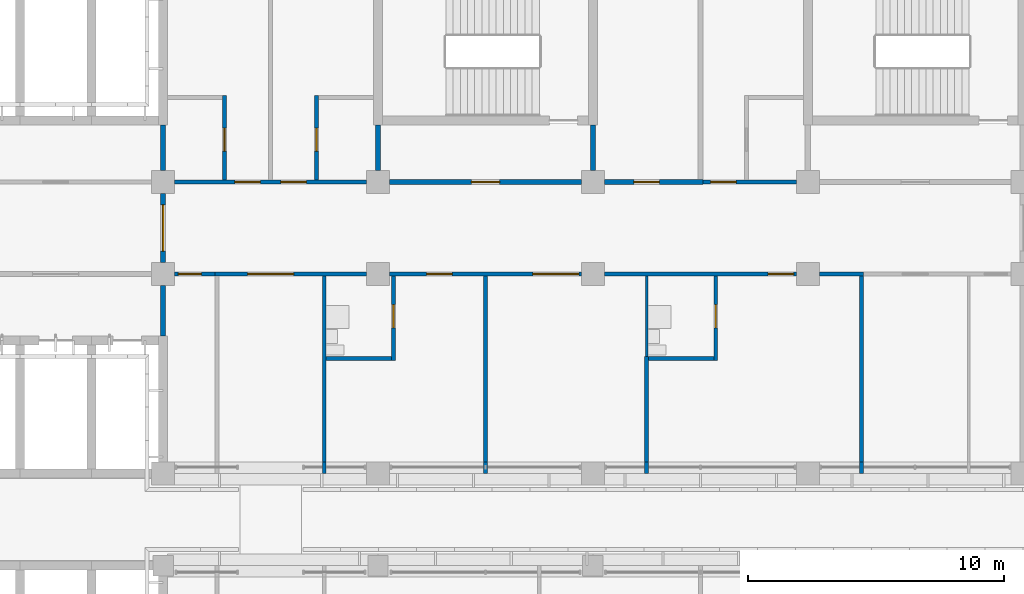
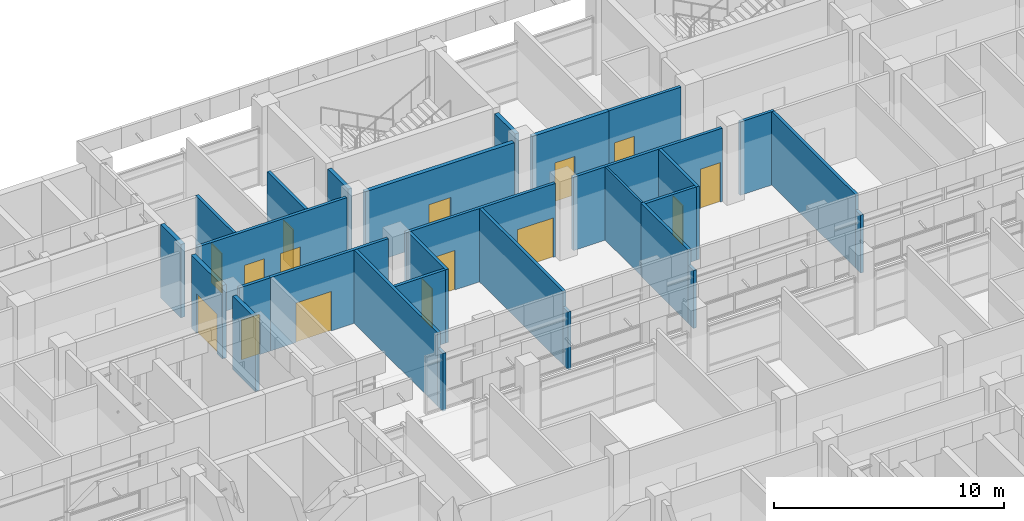
# One storey, part 77 of 137: 29 walls, 15 doors, 15 openings.
"""IFC4 building model written with IfcOpenShell, lengths in metres."""

from ifc_helpers import new_model, si_unit, direction, frame, frame_2d, origin, place, context, subcontext, project, spatial, rectangle, extrude, material, layer, layer_set, type_object, element, fill, save


model = new_model("IFC4")

# Units and contexts
model_context = context("Model", 3, precision=1e-05, world=origin(), true_north=direction((0.0, 1.0)))
body_context = subcontext(model_context, "Body", "Model", "MODEL_VIEW")
ifc_project = project(units=[si_unit("LENGTHUNIT", "METRE"), si_unit("AREAUNIT", "SQUARE_METRE"), si_unit("VOLUMEUNIT", "CUBIC_METRE"), si_unit("PLANEANGLEUNIT", "RADIAN"), si_unit("MASSUNIT", "GRAM", prefix="KILO")], contexts=[model_context])

# Site, building, storey
site_placement = place(None, origin())
site = spatial("IfcSite", under=ifc_project, at=site_placement, CompositionType="ELEMENT")
building_placement = place(site_placement, origin())
building = spatial("IfcBuilding", under=site, at=building_placement, Name="Bougainvillea Quay General Hospital", CompositionType="ELEMENT")
storey_placement = place(building_placement, frame((0.0, 0.0, 16.800048828125)))
storey = spatial("IfcBuildingStorey", under=building, at=storey_placement, Name="L03", CompositionType="ELEMENT", Elevation=16.800048828125)

# Walls
ifc_material_1 = material(Name="Gypsum board partition on steel studs", Category="steel")
ifc_layer_1 = layer(ifc_material_1, 0.10009765625)
ifc_layer_set_1 = layer_set([ifc_layer_1], Name="Gypsum board partition on steel studs")
wall_type_1 = type_object("IfcWallType", Name="Partition 100 Gypsum board partition", PredefinedType="PARTITIONING", material=ifc_layer_set_1)
wall_1_placement = place(storey_placement, frame((94.5, 144.97509765625, 0.0), z_axis=(0.0, 0.0, 1.0), x_axis=(0.0, 1.0, 0.0)))
element("IfcWall", 1, at=wall_1_placement, inside=storey, type_object=wall_type_1, Name="Partition 100 mm", PredefinedType="PARTITIONING", context=body_context, shape_type="SweptSolid", body=[
    extrude(rectangle(XDim=3.14990234375, YDim=0.10009765625, at=frame_2d((1.574951171875, 0.0))), origin(), (0.0, 0.0, 1.0), 3.89990234375),
])
ifc_material_2 = material(Name="Gypsum board partition on steel studs, insulated", Category="steel")
ifc_layer_2 = layer(ifc_material_2, 0.14990234375)
ifc_layer_set_2 = layer_set([ifc_layer_2], Name="Gypsum board partition on steel studs, insulated")
wall_type_2 = type_object("IfcWallType", Name="Partition 150 Gypsum board partition", PredefinedType="PARTITIONING", material=ifc_layer_set_2)
wall_2_placement = place(storey_placement, frame((88.199951171875, 140.39990234375, 0.0), z_axis=(0.0, 0.0, 1.0), x_axis=(0.0, 1.0, 0.0)))
element("IfcWall", 2, at=wall_2_placement, inside=storey, type_object=wall_type_2, Name="Partition 150 mm", PredefinedType="PARTITIONING", context=body_context, shape_type="SweptSolid", body=[
    extrude(rectangle(XDim=0.4501953125, YDim=0.14990234375, at=frame_2d((0.22509765625, 0.0))), origin(), (0.0, 0.0, 1.0), 3.079833984375),
])
wall_3_placement = place(storey_placement, frame((88.199951171875, 140.85009765625, 0.0), z_axis=(0.0, 0.0, 1.0), x_axis=(0.0, 1.0, 0.0)))
element("IfcWall", 3, at=wall_3_placement, inside=storey, type_object=wall_type_2, Name="Partition 150 mm", PredefinedType="PARTITIONING", context=body_context, shape_type="SweptSolid", body=[
    extrude(rectangle(XDim=7.27490234375, YDim=0.14990234375, at=frame_2d((3.637451171875, 0.0))), origin(), (0.0, 0.0, 1.0), 3.89990234375),
])
wall_4_placement = place(storey_placement, frame((102.89990234375, 140.39990234375, 0.0), z_axis=(0.0, 0.0, 1.0), x_axis=(0.0, 1.0, 0.0)))
element("IfcWall", 4, at=wall_4_placement, inside=storey, type_object=wall_type_2, Name="Partition 150 mm", PredefinedType="PARTITIONING", context=body_context, shape_type="SweptSolid", body=[
    extrude(rectangle(XDim=0.4501953125, YDim=0.14990234375, at=frame_2d((0.22509765625, 0.0))), origin(), (0.0, 0.0, 1.0), 3.079833984375),
])
wall_5_placement = place(storey_placement, frame((102.89990234375, 140.85009765625, 0.0), z_axis=(0.0, 0.0, 1.0), x_axis=(0.0, 1.0, 0.0)))
element("IfcWall", 5, at=wall_5_placement, inside=storey, type_object=wall_type_2, Name="Partition 150 mm", PredefinedType="PARTITIONING", context=body_context, shape_type="SweptSolid", body=[
    extrude(rectangle(XDim=7.27490234375, YDim=0.14990234375, at=frame_2d((3.637451171875, 0.0))), origin(), (0.0, 0.0, 1.0), 3.89990234375),
])
wall_6_placement = place(storey_placement, frame((94.5, 140.39990234375, 0.0), z_axis=(0.0, 0.0, 1.0), x_axis=(0.0, 1.0, 0.0)))
element("IfcWall", 6, at=wall_6_placement, inside=storey, type_object=wall_type_2, Name="Partition 150 mm", PredefinedType="PARTITIONING", context=body_context, shape_type="SweptSolid", body=[
    extrude(rectangle(XDim=0.4501953125, YDim=0.14990234375, at=frame_2d((0.22509765625, 0.0))), origin(), (0.0, 0.0, 1.0), 3.079833984375),
])
wall_7_placement = place(storey_placement, frame((94.5, 140.85009765625, 0.0), z_axis=(0.0, 0.0, 1.0), x_axis=(0.0, 1.0, 0.0)))
element("IfcWall", 7, at=wall_7_placement, inside=storey, type_object=wall_type_2, Name="Partition 150 mm", PredefinedType="PARTITIONING", context=body_context, shape_type="SweptSolid", body=[
    extrude(rectangle(XDim=4.125, YDim=0.14990234375, at=frame_2d((2.0625, 0.0))), origin(), (0.0, 0.0, 1.0), 3.89990234375),
])

# Wall, opening, door
wall_8_placement = place(storey_placement, frame((78.0, 151.875, 0.0), z_axis=(0.0, 0.0, 1.0), x_axis=(0.0, 1.0, 0.0)))
wall_8 = element("IfcWall", 8, at=wall_8_placement, inside=storey, type_object=wall_type_2, Name="Partition 150 mm", PredefinedType="PARTITIONING", context=body_context, shape_type="SweptSolid", body=[
    extrude(rectangle(XDim=3.300048828125, YDim=0.14990234375, at=frame_2d((1.64990234375, 0.0))), origin(), (0.0, 0.0, 1.0), 3.89990234375),
])
opening_1_placement = place(wall_8_placement, frame((1.125, 0.0, 0.0)))
opening_1 = element("IfcOpeningElement", 9, at=opening_1_placement, cuts=wall_8, Name="Opening L03.018", PredefinedType="OPENING", context=body_context, shape_type="SweptSolid", body=[
    extrude(rectangle(XDim=0.89990234375, YDim=2.10009765625, at=frame_2d((0.449951171875, 1.050048828125))), frame((0.0, 0.0849609375, 0.0), z_axis=(0.0, -1.0, 0.0), x_axis=(1.0, 0.0, 0.0)), (0.0, 0.0, 1.0), 0.169921875),
])
ifc_material_3 = material(Name="Solid-core timber door leaf in steel frame", Category="steel")
door_type_1 = type_object("IfcDoorType", Name="Single leaf door 900x2100", OperationType="NOTDEFINED", PredefinedType="DOOR", material=ifc_material_3)
door_1_placement = place(opening_1_placement, origin())
door_1 = element("IfcDoor", 10, at=door_1_placement, inside=storey, type_object=door_type_1, Name="DT07 L03.018", OperationType="SINGLE_SWING_LEFT", OverallHeight=2.10009765625, OverallWidth=0.89990234375, PredefinedType="DOOR", context=body_context, shape_type="SweptSolid", body=[
    extrude(rectangle(XDim=0.89990234375, YDim=2.10009765625, at=frame_2d((0.449951171875, 1.050048828125))), frame((0.0, 0.02490234375, 0.0), z_axis=(0.0, -1.0, 0.0), x_axis=(1.0, 0.0, 0.0)), (0.0, 0.0, 1.0), 0.050048828125),
])
fill(opening_1, door_1)

wall_9_placement = place(storey_placement, frame((81.60009765625, 151.875, 0.0), z_axis=(0.0, 0.0, 1.0), x_axis=(0.0, 1.0, 0.0)))
wall_9 = element("IfcWall", 11, at=wall_9_placement, inside=storey, type_object=wall_type_2, Name="Partition 150 mm", PredefinedType="PARTITIONING", context=body_context, shape_type="SweptSolid", body=[
    extrude(rectangle(XDim=3.300048828125, YDim=0.14990234375, at=frame_2d((1.64990234375, 0.0))), origin(), (0.0, 0.0, 1.0), 3.89990234375),
])
opening_2_placement = place(wall_9_placement, frame((1.125, 0.0, 0.0)))
opening_2 = element("IfcOpeningElement", 12, at=opening_2_placement, cuts=wall_9, Name="Opening L03.020", PredefinedType="OPENING", context=body_context, shape_type="SweptSolid", body=[
    extrude(rectangle(XDim=0.89990234375, YDim=2.10009765625, at=frame_2d((0.449951171875, 1.050048828125))), frame((0.0, 0.0849609375, 0.0), z_axis=(0.0, -1.0, 0.0), x_axis=(1.0, 0.0, 0.0)), (0.0, 0.0, 1.0), 0.169921875),
])
door_2_placement = place(opening_2_placement, frame((0.89990234375, 0.0, 0.0), z_axis=(0.0, 0.0, 1.0), x_axis=(-1.0, 0.0, 0.0)))
door_2 = element("IfcDoor", 13, at=door_2_placement, inside=storey, type_object=door_type_1, Name="DT07 L03.020", OperationType="SINGLE_SWING_RIGHT", OverallHeight=2.10009765625, OverallWidth=0.89990234375, PredefinedType="DOOR", context=body_context, shape_type="SweptSolid", body=[
    extrude(rectangle(XDim=0.89990234375, YDim=2.10009765625, at=frame_2d((0.449951171875, 1.050048828125))), frame((0.0, 0.02490234375, 0.0), z_axis=(0.0, -1.0, 0.0), x_axis=(1.0, 0.0, 0.0)), (0.0, 0.0, 1.0), 0.050048828125),
])
fill(opening_2, door_2)

wall_10_placement = place(storey_placement, frame((84.60009765625, 144.824951171875, 0.0), z_axis=(0.0, 0.0, 1.0), x_axis=(0.0, 1.0, 0.0)))
wall_10 = element("IfcWall", 14, at=wall_10_placement, inside=storey, type_object=wall_type_2, Name="Partition 150 mm", PredefinedType="PARTITIONING", context=body_context, shape_type="SweptSolid", body=[
    extrude(rectangle(XDim=3.300048828125, YDim=0.14990234375, at=frame_2d((1.64990234375, 0.0))), origin(), (0.0, 0.0, 1.0), 3.89990234375),
])
opening_3_placement = place(wall_10_placement, frame((1.27490234375, 0.0, 0.0)))
opening_3 = element("IfcOpeningElement", 15, at=opening_3_placement, cuts=wall_10, Name="Opening L03.022", PredefinedType="OPENING", context=body_context, shape_type="SweptSolid", body=[
    extrude(rectangle(XDim=0.89990234375, YDim=2.10009765625, at=frame_2d((0.449951171875, 1.050048828125))), frame((0.0, 0.0849609375, 0.0), z_axis=(0.0, -1.0, 0.0), x_axis=(1.0, 0.0, 0.0)), (0.0, 0.0, 1.0), 0.169921875),
])
door_3_placement = place(opening_3_placement, origin())
door_3 = element("IfcDoor", 16, at=door_3_placement, inside=storey, type_object=door_type_1, Name="DT07 L03.022", OperationType="SINGLE_SWING_RIGHT", OverallHeight=2.10009765625, OverallWidth=0.89990234375, PredefinedType="DOOR", context=body_context, shape_type="SweptSolid", body=[
    extrude(rectangle(XDim=0.89990234375, YDim=2.10009765625, at=frame_2d((0.449951171875, 1.050048828125))), frame((0.0, 0.02490234375, 0.0), z_axis=(0.0, -1.0, 0.0), x_axis=(1.0, 0.0, 0.0)), (0.0, 0.0, 1.0), 0.050048828125),
])
fill(opening_3, door_3)

wall_11_placement = place(storey_placement, frame((97.199951171875, 144.824951171875, 0.0), z_axis=(0.0, 0.0, 1.0), x_axis=(0.0, 1.0, 0.0)))
wall_11 = element("IfcWall", 17, at=wall_11_placement, inside=storey, type_object=wall_type_2, Name="Partition 150 mm", PredefinedType="PARTITIONING", context=body_context, shape_type="SweptSolid", body=[
    extrude(rectangle(XDim=3.300048828125, YDim=0.14990234375, at=frame_2d((1.64990234375, 0.0))), origin(), (0.0, 0.0, 1.0), 3.89990234375),
])
opening_4_placement = place(wall_11_placement, frame((1.27490234375, 0.0, 0.0)))
opening_4 = element("IfcOpeningElement", 18, at=opening_4_placement, cuts=wall_11, Name="Opening L03.025", PredefinedType="OPENING", context=body_context, shape_type="SweptSolid", body=[
    extrude(rectangle(XDim=0.89990234375, YDim=2.10009765625, at=frame_2d((0.449951171875, 1.050048828125))), frame((0.0, 0.0849609375, 0.0), z_axis=(0.0, -1.0, 0.0), x_axis=(1.0, 0.0, 0.0)), (0.0, 0.0, 1.0), 0.169921875),
])
door_4_placement = place(opening_4_placement, origin())
door_4 = element("IfcDoor", 19, at=door_4_placement, inside=storey, type_object=door_type_1, Name="DT07 L03.025", OperationType="SINGLE_SWING_RIGHT", OverallHeight=2.10009765625, OverallWidth=0.89990234375, PredefinedType="DOOR", context=body_context, shape_type="SweptSolid", body=[
    extrude(rectangle(XDim=0.89990234375, YDim=2.10009765625, at=frame_2d((0.449951171875, 1.050048828125))), frame((0.0, 0.02490234375, 0.0), z_axis=(0.0, -1.0, 0.0), x_axis=(1.0, 0.0, 0.0)), (0.0, 0.0, 1.0), 0.050048828125),
])
fill(opening_4, door_4)

# Walls
wall_12_placement = place(storey_placement, frame((94.574951171875, 144.89990234375, 0.0), z_axis=(0.0, 0.0, 1.0), x_axis=(1.0, 0.0, 0.0)))
element("IfcWall", 20, at=wall_12_placement, inside=storey, type_object=wall_type_2, Name="Partition 150 mm", PredefinedType="PARTITIONING", context=body_context, shape_type="SweptSolid", body=[
    extrude(rectangle(XDim=2.550048828125, YDim=0.14990234375, at=frame_2d((1.27490234375, 0.0))), origin(), (0.0, 0.0, 1.0), 3.89990234375),
])
wall_13_placement = place(storey_placement, frame((81.97509765625, 144.89990234375, 0.0), z_axis=(0.0, 0.0, 1.0), x_axis=(1.0, 0.0, 0.0)))
element("IfcWall", 21, at=wall_13_placement, inside=storey, type_object=wall_type_2, Name="Partition 150 mm", PredefinedType="PARTITIONING", context=body_context, shape_type="SweptSolid", body=[
    extrude(rectangle(XDim=2.5498046875, YDim=0.14990234375, at=frame_2d((1.27490234375, 0.0))), origin(), (0.0, 0.0, 1.0), 3.89990234375),
])
ifc_layer_3 = layer(ifc_material_2, 0.14990234375)
ifc_layer_set_3 = layer_set([ifc_layer_3], Name="Gypsum board partition on steel studs, insulated")
wall_type_3 = type_object("IfcWallType", Name="Partition 150 Gypsum board partition EI 30", PredefinedType="PARTITIONING", material=ifc_layer_set_3)
wall_14_placement = place(storey_placement, frame((102.97509765625, 148.199951171875, 0.0), z_axis=(0.0, 0.0, 1.0), x_axis=(-1.0, 0.0, 0.0)))
element("IfcWall", 22, at=wall_14_placement, inside=storey, type_object=wall_type_3, Name="Partition 150 mm EI 30", PredefinedType="PARTITIONING", context=body_context, shape_type="SweptSolid", body=[
    extrude(rectangle(XDim=1.72509765625, YDim=0.14990234375, at=frame_2d((0.862548828125, 0.0))), origin(), (0.0, 0.0, 1.0), 3.89990234375),
])

# Wall, opening, door
wall_15_placement = place(storey_placement, frame((100.35009765625, 148.199951171875, 0.0), z_axis=(0.0, 0.0, 1.0), x_axis=(-1.0, 0.0, 0.0)))
wall_15 = element("IfcWall", 23, at=wall_15_placement, inside=storey, type_object=wall_type_3, Name="Partition 150 mm EI 30", PredefinedType="PARTITIONING", context=body_context, shape_type="SweptSolid", body=[
    extrude(rectangle(XDim=7.5, YDim=0.14990234375, at=frame_2d((3.75, 0.0))), origin(), (0.0, 0.0, 1.0), 3.89990234375),
])
opening_5_placement = place(wall_15_placement, frame((0.10009765625, 0.0, 0.0)))
opening_5 = element("IfcOpeningElement", 24, at=opening_5_placement, cuts=wall_15, Name="Opening L03.024", PredefinedType="OPENING", context=body_context, shape_type="SweptSolid", body=[
    extrude(rectangle(XDim=1.0, YDim=2.10009765625, at=frame_2d((0.5, 1.050048828125))), frame((0.0, 0.0849609375, 0.0), z_axis=(0.0, -1.0, 0.0), x_axis=(1.0, 0.0, 0.0)), (0.0, 0.0, 1.0), 0.169921875),
])
door_type_2 = type_object("IfcDoorType", Name="Single leaf door 1000x2100 FD30S", OperationType="NOTDEFINED", PredefinedType="DOOR", material=ifc_material_3)
door_5_placement = place(opening_5_placement, origin())
door_5 = element("IfcDoor", 25, at=door_5_placement, inside=storey, type_object=door_type_2, Name="DT15 L03.024", OperationType="SINGLE_SWING_LEFT", OverallHeight=2.10009765625, OverallWidth=1.0, PredefinedType="DOOR", context=body_context, shape_type="SweptSolid", body=[
    extrude(rectangle(XDim=1.0, YDim=2.10009765625, at=frame_2d((0.5, 1.050048828125))), frame((0.0, 0.02490234375, 0.0), z_axis=(0.0, -1.0, 0.0), x_axis=(1.0, 0.0, 0.0)), (0.0, 0.0, 1.0), 0.050048828125),
])
fill(opening_5, door_5)

# Wall, openings, doors
wall_16_placement = place(storey_placement, frame((91.949951171875, 148.199951171875, 0.0), z_axis=(0.0, 0.0, 1.0), x_axis=(-1.0, 0.0, 0.0)))
wall_16 = element("IfcWall", 26, at=wall_16_placement, inside=storey, type_object=wall_type_3, Name="Partition 150 mm EI 30", PredefinedType="PARTITIONING", context=body_context, shape_type="SweptSolid", body=[
    extrude(rectangle(XDim=7.5, YDim=0.14990234375, at=frame_2d((3.75, 0.0))), origin(), (0.0, 0.0, 1.0), 3.89990234375),
])
opening_6_placement = place(wall_16_placement, frame((5.050048828125, 0.0, 0.0)))
opening_6 = element("IfcOpeningElement", 27, at=opening_6_placement, cuts=wall_16, Name="Opening L03.021", PredefinedType="OPENING", context=body_context, shape_type="SweptSolid", body=[
    extrude(rectangle(XDim=1.0, YDim=2.10009765625, at=frame_2d((0.5, 1.050048828125))), frame((0.0, 0.0849609375, 0.0), z_axis=(0.0, -1.0, 0.0), x_axis=(1.0, 0.0, 0.0)), (0.0, 0.0, 1.0), 0.169921875),
])
opening_7_placement = place(wall_16_placement, frame((0.10009765625, 0.0, 0.0)))
opening_7 = element("IfcOpeningElement", 28, at=opening_7_placement, cuts=wall_16, Name="Opening L03.023", PredefinedType="OPENING", context=body_context, shape_type="SweptSolid", body=[
    extrude(rectangle(XDim=1.800048828125, YDim=2.10009765625, at=frame_2d((0.89990234375, 1.050048828125))), frame((0.0, 0.0849609375, 0.0), z_axis=(0.0, -1.0, 0.0), x_axis=(1.0, 0.0, 0.0)), (0.0, 0.0, 1.0), 0.169921875),
])
ifc_material_4 = material(Name="Solid-core timber door leaves in steel frame", Category="steel")
door_type_3 = type_object("IfcDoorType", Name="Double leaf door 1800x2100 FD30S", OperationType="DOUBLE_DOOR_SINGLE_SWING", PredefinedType="DOOR", material=ifc_material_4)
door_6_placement = place(opening_7_placement, origin())
door_6 = element("IfcDoor", 29, at=door_6_placement, inside=storey, type_object=door_type_3, Name="DT17 L03.023", OperationType="DOUBLE_DOOR_SINGLE_SWING", OverallHeight=2.10009765625, OverallWidth=1.800048828125, PredefinedType="DOOR", context=body_context, shape_type="SweptSolid", body=[
    extrude(rectangle(XDim=1.800048828125, YDim=2.10009765625, at=frame_2d((0.89990234375, 1.050048828125))), frame((0.0, 0.02490234375, 0.0), z_axis=(0.0, -1.0, 0.0), x_axis=(1.0, 0.0, 0.0)), (0.0, 0.0, 1.0), 0.050048828125),
])
fill(opening_7, door_6)
door_7_placement = place(opening_6_placement, origin())
door_7 = element("IfcDoor", 30, at=door_7_placement, inside=storey, type_object=door_type_2, Name="DT15 L03.021", OperationType="SINGLE_SWING_RIGHT", OverallHeight=2.10009765625, OverallWidth=1.0, PredefinedType="DOOR", context=body_context, shape_type="SweptSolid", body=[
    extrude(rectangle(XDim=1.0, YDim=2.10009765625, at=frame_2d((0.5, 1.050048828125))), frame((0.0, 0.02490234375, 0.0), z_axis=(0.0, -1.0, 0.0), x_axis=(1.0, 0.0, 0.0)), (0.0, 0.0, 1.0), 0.050048828125),
])
fill(opening_6, door_7)

# Wall, opening, door
wall_17_placement = place(storey_placement, frame((83.550048828125, 148.199951171875, 0.0), z_axis=(0.0, 0.0, 1.0), x_axis=(-1.0, 0.0, 0.0)))
wall_17 = element("IfcWall", 31, at=wall_17_placement, inside=storey, type_object=wall_type_3, Name="Partition 150 mm EI 30", PredefinedType="PARTITIONING", context=body_context, shape_type="SweptSolid", body=[
    extrude(rectangle(XDim=5.925048828125, YDim=0.14990234375, at=frame_2d((2.96240234375, 0.0))), origin(), (0.0, 0.0, 1.0), 3.89990234375),
])
opening_8_placement = place(wall_17_placement, frame((2.85009765625, 0.0, 0.0)))
opening_8 = element("IfcOpeningElement", 32, at=opening_8_placement, cuts=wall_17, Name="Opening L03.066", PredefinedType="OPENING", context=body_context, shape_type="SweptSolid", body=[
    extrude(rectangle(XDim=1.800048828125, YDim=2.10009765625, at=frame_2d((0.89990234375, 1.050048828125))), frame((0.0, 0.0849609375, 0.0), z_axis=(0.0, -1.0, 0.0), x_axis=(1.0, 0.0, 0.0)), (0.0, 0.0, 1.0), 0.169921875),
])
door_8_placement = place(opening_8_placement, origin())
door_8 = element("IfcDoor", 33, at=door_8_placement, inside=storey, type_object=door_type_3, Name="DT17 L03.066", OperationType="DOUBLE_DOOR_SINGLE_SWING", OverallHeight=2.10009765625, OverallWidth=1.800048828125, PredefinedType="DOOR", context=body_context, shape_type="SweptSolid", body=[
    extrude(rectangle(XDim=1.800048828125, YDim=2.10009765625, at=frame_2d((0.89990234375, 1.050048828125))), frame((0.0, 0.02490234375, 0.0), z_axis=(0.0, -1.0, 0.0), x_axis=(1.0, 0.0, 0.0)), (0.0, 0.0, 1.0), 0.050048828125),
])
fill(opening_8, door_8)

# Wall, openings, doors
wall_18_placement = place(storey_placement, frame((83.550048828125, 151.800048828125, 0.0), z_axis=(0.0, 0.0, 1.0), x_axis=(-1.0, 0.0, 0.0)))
wall_18 = element("IfcWall", 34, at=wall_18_placement, inside=storey, type_object=wall_type_3, Name="Partition 150 mm EI 30", PredefinedType="PARTITIONING", context=body_context, shape_type="SweptSolid", body=[
    extrude(rectangle(XDim=7.5, YDim=0.14990234375, at=frame_2d((3.75, 0.0))), origin(), (0.0, 0.0, 1.0), 3.89990234375),
])
opening_9_placement = place(wall_18_placement, frame((4.14990234375, 0.0, 0.0)))
opening_9 = element("IfcOpeningElement", 35, at=opening_9_placement, cuts=wall_18, Name="Opening L03.017", PredefinedType="OPENING", context=body_context, shape_type="SweptSolid", body=[
    extrude(rectangle(XDim=1.0, YDim=2.10009765625, at=frame_2d((0.5, 1.050048828125))), frame((0.0, 0.0849609375, 0.0), z_axis=(0.0, -1.0, 0.0), x_axis=(1.0, 0.0, 0.0)), (0.0, 0.0, 1.0), 0.169921875),
])
opening_10_placement = place(wall_18_placement, frame((2.35009765625, 0.0, 0.0)))
opening_10 = element("IfcOpeningElement", 36, at=opening_10_placement, cuts=wall_18, Name="Opening L03.019", PredefinedType="OPENING", context=body_context, shape_type="SweptSolid", body=[
    extrude(rectangle(XDim=1.0, YDim=2.10009765625, at=frame_2d((0.5, 1.050048828125))), frame((0.0, 0.0849609375, 0.0), z_axis=(0.0, -1.0, 0.0), x_axis=(1.0, 0.0, 0.0)), (0.0, 0.0, 1.0), 0.169921875),
])
door_9_placement = place(opening_9_placement, frame((1.0, 0.0, 0.0), z_axis=(0.0, 0.0, 1.0), x_axis=(-1.0, 0.0, 0.0)))
door_9 = element("IfcDoor", 37, at=door_9_placement, inside=storey, type_object=door_type_2, Name="DT15 L03.017", OperationType="SINGLE_SWING_LEFT", OverallHeight=2.10009765625, OverallWidth=1.0, PredefinedType="DOOR", context=body_context, shape_type="SweptSolid", body=[
    extrude(rectangle(XDim=1.0, YDim=2.10009765625, at=frame_2d((0.5, 1.050048828125))), frame((0.0, 0.02490234375, 0.0), z_axis=(0.0, -1.0, 0.0), x_axis=(1.0, 0.0, 0.0)), (0.0, 0.0, 1.0), 0.050048828125),
])
fill(opening_9, door_9)
door_10_placement = place(opening_10_placement, frame((1.0, 0.0, 0.0), z_axis=(0.0, 0.0, 1.0), x_axis=(-1.0, 0.0, 0.0)))
door_10 = element("IfcDoor", 38, at=door_10_placement, inside=storey, type_object=door_type_2, Name="DT15 L03.019", OperationType="SINGLE_SWING_RIGHT", OverallHeight=2.10009765625, OverallWidth=1.0, PredefinedType="DOOR", context=body_context, shape_type="SweptSolid", body=[
    extrude(rectangle(XDim=1.0, YDim=2.10009765625, at=frame_2d((0.5, 1.050048828125))), frame((0.0, 0.02490234375, 0.0), z_axis=(0.0, -1.0, 0.0), x_axis=(1.0, 0.0, 0.0)), (0.0, 0.0, 1.0), 0.050048828125),
])
fill(opening_10, door_10)

# Walls
wall_19_placement = place(storey_placement, frame((81.89990234375, 140.39990234375, 0.0), z_axis=(0.0, 0.0, 1.0), x_axis=(0.0, 1.0, 0.0)))
element("IfcWall", 39, at=wall_19_placement, inside=storey, type_object=wall_type_3, Name="Partition 150 mm EI 30", PredefinedType="PARTITIONING", context=body_context, shape_type="SweptSolid", body=[
    extrude(rectangle(XDim=0.4501953125, YDim=0.14990234375, at=frame_2d((0.22509765625, 0.0))), origin(), (0.0, 0.0, 1.0), 3.079833984375),
])
wall_20_placement = place(storey_placement, frame((81.89990234375, 140.85009765625, 0.0), z_axis=(0.0, 0.0, 1.0), x_axis=(0.0, 1.0, 0.0)))
element("IfcWall", 40, at=wall_20_placement, inside=storey, type_object=wall_type_3, Name="Partition 150 mm EI 30", PredefinedType="PARTITIONING", context=body_context, shape_type="SweptSolid", body=[
    extrude(rectangle(XDim=7.27490234375, YDim=0.14990234375, at=frame_2d((3.637451171875, 0.0))), origin(), (0.0, 0.0, 1.0), 3.89990234375),
])

# Wall, opening, door
wall_21_placement = place(storey_placement, frame((96.699951171875, 151.800048828125, 0.0), z_axis=(0.0, 0.0, 1.0), x_axis=(1.0, 0.0, 0.0)))
wall_21 = element("IfcWall", 41, at=wall_21_placement, inside=storey, type_object=wall_type_3, Name="Partition 150 mm EI 30", PredefinedType="PARTITIONING", context=body_context, shape_type="SweptSolid", body=[
    extrude(rectangle(XDim=3.650146484375, YDim=0.14990234375, at=frame_2d((1.8251953125, 0.0))), origin(), (0.0, 0.0, 1.0), 3.89990234375),
])
opening_11_placement = place(wall_21_placement, frame((0.300048828125, 0.0, 0.0)))
opening_11 = element("IfcOpeningElement", 42, at=opening_11_placement, cuts=wall_21, Name="Opening L03.028", PredefinedType="OPENING", context=body_context, shape_type="SweptSolid", body=[
    extrude(rectangle(XDim=1.0, YDim=2.10009765625, at=frame_2d((0.5, 1.050048828125))), frame((0.0, 0.0849609375, 0.0), z_axis=(0.0, -1.0, 0.0), x_axis=(1.0, 0.0, 0.0)), (0.0, 0.0, 1.0), 0.169921875),
])
door_11_placement = place(opening_11_placement, origin())
door_11 = element("IfcDoor", 43, at=door_11_placement, inside=storey, type_object=door_type_2, Name="DT15 L03.028", OperationType="SINGLE_SWING_LEFT", OverallHeight=2.10009765625, OverallWidth=1.0, PredefinedType="DOOR", context=body_context, shape_type="SweptSolid", body=[
    extrude(rectangle(XDim=1.0, YDim=2.10009765625, at=frame_2d((0.5, 1.050048828125))), frame((0.0, 0.02490234375, 0.0), z_axis=(0.0, -1.0, 0.0), x_axis=(1.0, 0.0, 0.0)), (0.0, 0.0, 1.0), 0.050048828125),
])
fill(opening_11, door_11)

ifc_layer_4 = layer(ifc_material_2, 0.14990234375)
ifc_layer_set_4 = layer_set([ifc_layer_4], Name="Gypsum board partition on steel studs, insulated")
wall_type_4 = type_object("IfcWallType", Name="Partition 150 Gypsum board partition EI 60", PredefinedType="PARTITIONING", material=ifc_layer_set_4)
wall_22_placement = place(storey_placement, frame((76.050048828125, 148.199951171875, 0.0), z_axis=(0.0, 0.0, 1.0), x_axis=(1.0, 0.0, 0.0)))
wall_22 = element("IfcWall", 44, at=wall_22_placement, inside=storey, type_object=wall_type_4, Name="Partition 150 mm EI 60", PredefinedType="PARTITIONING", context=body_context, shape_type="SweptSolid", body=[
    extrude(rectangle(XDim=1.574951171875, YDim=0.14990234375, at=frame_2d((0.78759765625, 0.0))), origin(), (0.0, 0.0, 1.0), 3.89990234375),
])
opening_12_placement = place(wall_22_placement, frame((0.14990234375, 0.0, 0.0)))
opening_12 = element("IfcOpeningElement", 45, at=opening_12_placement, cuts=wall_22, Name="Opening L03.016", PredefinedType="OPENING", context=body_context, shape_type="SweptSolid", body=[
    extrude(rectangle(XDim=0.89990234375, YDim=2.10009765625, at=frame_2d((0.449951171875, 1.050048828125))), frame((0.0, 0.0849609375, 0.0), z_axis=(0.0, -1.0, 0.0), x_axis=(1.0, 0.0, 0.0)), (0.0, 0.0, 1.0), 0.169921875),
])
door_type_4 = type_object("IfcDoorType", Name="Single leaf door 900x2100 FD60", OperationType="NOTDEFINED", PredefinedType="DOOR", material=ifc_material_3)
door_12_placement = place(opening_12_placement, frame((0.89990234375, 0.0, 0.0), z_axis=(0.0, 0.0, 1.0), x_axis=(-1.0, 0.0, 0.0)))
door_12 = element("IfcDoor", 46, at=door_12_placement, inside=storey, type_object=door_type_4, Name="DT18 L03.016", OperationType="SINGLE_SWING_RIGHT", OverallHeight=2.10009765625, OverallWidth=0.89990234375, PredefinedType="DOOR", context=body_context, shape_type="SweptSolid", body=[
    extrude(rectangle(XDim=0.89990234375, YDim=2.10009765625, at=frame_2d((0.449951171875, 1.050048828125))), frame((0.0, 0.02490234375, 0.0), z_axis=(0.0, -1.0, 0.0), x_axis=(1.0, 0.0, 0.0)), (0.0, 0.0, 1.0), 0.050048828125),
])
fill(opening_12, door_12)

ifc_material_5 = material(Name="Fire-rated autoclaved aerated block wall, plastered")
ifc_layer_5 = layer(ifc_material_5, 0.199951171875)
ifc_layer_set_5 = layer_set([ifc_layer_5], Name="Fire-rated autoclaved aerated block wall, plastered")
wall_type_5 = type_object("IfcWallType", Name="Partition 200 Fire-rated autoclaved aerated block wall EI 120", PredefinedType="SOLIDWALL", material=ifc_layer_set_5)
wall_23_placement = place(storey_placement, frame((84.449951171875, 151.800048828125, 0.0), z_axis=(0.0, 0.0, 1.0), x_axis=(1.0, 0.0, 0.0)))
wall_23 = element("IfcWall", 47, at=wall_23_placement, inside=storey, type_object=wall_type_5, Name="Partition 200 mm EI 120", PredefinedType="SOLIDWALL", context=body_context, shape_type="SweptSolid", body=[
    extrude(rectangle(XDim=7.5, YDim=0.199951171875, at=frame_2d((3.75, 0.0))), origin(), (0.0, 0.0, 1.0), 3.89990234375),
])
opening_13_placement = place(wall_23_placement, frame((3.199951171875, 0.0, 0.0)))
opening_13 = element("IfcOpeningElement", 48, at=opening_13_placement, cuts=wall_23, Name="Opening L03.200", PredefinedType="OPENING", context=body_context, shape_type="SweptSolid", body=[
    extrude(rectangle(XDim=1.10009765625, YDim=2.10009765625, at=frame_2d((0.550048828125, 1.050048828125))), frame((0.0, 0.10986328125, 0.0), z_axis=(0.0, -1.0, 0.0), x_axis=(1.0, 0.0, 0.0)), (0.0, 0.0, 1.0), 0.219970703125),
])
ifc_material_6 = material(Name="Steel fire door leaf in steel frame", Category="steel")
door_type_5 = type_object("IfcDoorType", Name="Steel single leaf door 1100x2100 FD60", OperationType="NOTDEFINED", PredefinedType="DOOR", material=ifc_material_6)
door_13_placement = place(opening_13_placement, origin())
door_13 = element("IfcDoor", 49, at=door_13_placement, inside=storey, type_object=door_type_5, Name="DT04 L03.200", OperationType="SINGLE_SWING_RIGHT", OverallHeight=2.10009765625, OverallWidth=1.10009765625, PredefinedType="DOOR", context=body_context, shape_type="SweptSolid", body=[
    extrude(rectangle(XDim=1.10009765625, YDim=2.10009765625, at=frame_2d((0.550048828125, 1.050048828125))), frame((0.0, 0.02490234375, 0.0), z_axis=(0.0, -1.0, 0.0), x_axis=(1.0, 0.0, 0.0)), (0.0, 0.0, 1.0), 0.050048828125),
])
fill(opening_13, door_13)

wall_24_placement = place(storey_placement, frame((92.85009765625, 151.800048828125, 0.0), z_axis=(0.0, 0.0, 1.0), x_axis=(1.0, 0.0, 0.0)))
wall_24 = element("IfcWall", 50, at=wall_24_placement, inside=storey, type_object=wall_type_5, Name="Partition 200 mm EI 120", PredefinedType="SOLIDWALL", context=body_context, shape_type="SweptSolid", body=[
    extrude(rectangle(XDim=3.849853515625, YDim=0.199951171875, at=frame_2d((1.9248046875, 0.0))), origin(), (0.0, 0.0, 1.0), 3.89990234375),
])
opening_14_placement = place(wall_24_placement, frame((1.14990234375, 0.0, 0.0)))
opening_14 = element("IfcOpeningElement", 51, at=opening_14_placement, cuts=wall_24, Name="Opening L03.068", PredefinedType="OPENING", context=body_context, shape_type="SweptSolid", body=[
    extrude(rectangle(XDim=1.0, YDim=2.10009765625, at=frame_2d((0.5, 1.050048828125))), frame((0.0, 0.10986328125, 0.0), z_axis=(0.0, -1.0, 0.0), x_axis=(1.0, 0.0, 0.0)), (0.0, 0.0, 1.0), 0.219970703125),
])
door_type_6 = type_object("IfcDoorType", Name="Steel single leaf door 1000x2100 FD90", OperationType="NOTDEFINED", PredefinedType="DOOR", material=ifc_material_6)
door_14_placement = place(opening_14_placement, origin())
door_14 = element("IfcDoor", 52, at=door_14_placement, inside=storey, type_object=door_type_6, Name="DT11 L03.068", OperationType="SINGLE_SWING_LEFT", OverallHeight=2.10009765625, OverallWidth=1.0, PredefinedType="DOOR", context=body_context, shape_type="SweptSolid", body=[
    extrude(rectangle(XDim=1.0, YDim=2.10009765625, at=frame_2d((0.5, 1.050048828125))), frame((0.0, 0.02490234375, 0.0), z_axis=(0.0, -1.0, 0.0), x_axis=(1.0, 0.0, 0.0)), (0.0, 0.0, 1.0), 0.050048828125),
])
fill(opening_14, door_14)

# Walls
wall_25_placement = place(storey_placement, frame((92.39990234375, 152.25, 0.0), z_axis=(0.0, 0.0, 1.0), x_axis=(0.0, 1.0, 0.0)))
element("IfcWall", 53, at=wall_25_placement, inside=storey, type_object=wall_type_5, Name="Partition 200 mm EI 120", PredefinedType="SOLIDWALL", context=body_context, shape_type="SweptSolid", body=[
    extrude(rectangle(XDim=1.77490234375, YDim=0.199951171875, at=frame_2d((0.887451171875, 0.0))), origin(), (0.0, 0.0, 1.0), 3.89990234375),
])
wall_26_placement = place(storey_placement, frame((75.60009765625, 145.77490234375, 0.0), z_axis=(0.0, 0.0, 1.0), x_axis=(0.0, 1.0, 0.0)))
element("IfcWall", 54, at=wall_26_placement, inside=storey, type_object=wall_type_5, Name="Partition 200 mm EI 120", PredefinedType="SOLIDWALL", context=body_context, shape_type="SweptSolid", body=[
    extrude(rectangle(XDim=1.97509765625, YDim=0.199951171875, at=frame_2d((0.987548828125, 0.0))), origin(), (0.0, 0.0, 1.0), 3.89990234375),
])

# Wall, opening, door
wall_27_placement = place(storey_placement, frame((75.60009765625, 148.64990234375, 0.0), z_axis=(0.0, 0.0, 1.0), x_axis=(0.0, 1.0, 0.0)))
wall_27 = element("IfcWall", 55, at=wall_27_placement, inside=storey, type_object=wall_type_5, Name="Partition 200 mm EI 120", PredefinedType="SOLIDWALL", context=body_context, shape_type="SweptSolid", body=[
    extrude(rectangle(XDim=2.7001953125, YDim=0.199951171875, at=frame_2d((1.35009765625, 0.0))), origin(), (0.0, 0.0, 1.0), 3.89990234375),
])
opening_15_placement = place(wall_27_placement, frame((0.449951171875, 0.0, 0.0)))
opening_15 = element("IfcOpeningElement", 56, at=opening_15_placement, cuts=wall_27, Name="Opening L03.001", PredefinedType="OPENING", context=body_context, shape_type="SweptSolid", body=[
    extrude(rectangle(XDim=1.800048828125, YDim=2.10009765625, at=frame_2d((0.89990234375, 1.050048828125))), frame((0.0, 0.10986328125, 0.0), z_axis=(0.0, -1.0, 0.0), x_axis=(1.0, 0.0, 0.0)), (0.0, 0.0, 1.0), 0.219970703125),
])
ifc_material_7 = material(Name="Steel fire door leaves in steel frame", Category="steel")
door_type_7 = type_object("IfcDoorType", Name="Steel double leaf door 1800x2100 FD90", OperationType="DOUBLE_DOOR_SINGLE_SWING", PredefinedType="DOOR", material=ifc_material_7)
door_15_placement = place(opening_15_placement, frame((1.800048828125, 0.0, 0.0), z_axis=(0.0, 0.0, 1.0), x_axis=(-1.0, 0.0, 0.0)))
door_15 = element("IfcDoor", 57, at=door_15_placement, inside=storey, type_object=door_type_7, Name="DT03 L03.001", OperationType="DOUBLE_DOOR_SINGLE_SWING", OverallHeight=2.10009765625, OverallWidth=1.800048828125, PredefinedType="DOOR", context=body_context, shape_type="SweptSolid", body=[
    extrude(rectangle(XDim=1.800048828125, YDim=2.10009765625, at=frame_2d((0.89990234375, 1.050048828125))), frame((0.0, 0.02490234375, 0.0), z_axis=(0.0, -1.0, 0.0), x_axis=(1.0, 0.0, 0.0)), (0.0, 0.0, 1.0), 0.050048828125),
])
fill(opening_15, door_15)

# Walls
wall_28_placement = place(storey_placement, frame((84.0, 152.25, 0.0), z_axis=(0.0, 0.0, 1.0), x_axis=(0.0, 1.0, 0.0)))
element("IfcWall", 58, at=wall_28_placement, inside=storey, type_object=wall_type_5, Name="Partition 200 mm EI 120", PredefinedType="SOLIDWALL", context=body_context, shape_type="SweptSolid", body=[
    extrude(rectangle(XDim=1.77490234375, YDim=0.199951171875, at=frame_2d((0.887451171875, 0.0))), origin(), (0.0, 0.0, 1.0), 3.89990234375),
])
ifc_layer_6 = layer(ifc_material_5, 0.199951171875)
ifc_layer_set_6 = layer_set([ifc_layer_6], Name="Fire-rated autoclaved aerated block wall, plastered")
wall_type_6 = type_object("IfcWallType", Name="Partition 200 Fire-rated autoclaved aerated block wall EI 60", PredefinedType="SOLIDWALL", material=ifc_layer_set_6)
wall_29_placement = place(storey_placement, frame((75.60009765625, 152.25, 0.0), z_axis=(0.0, 0.0, 1.0), x_axis=(0.0, 1.0, 0.0)))
element("IfcWall", 59, at=wall_29_placement, inside=storey, type_object=wall_type_6, Name="Partition 200 mm EI 60", PredefinedType="SOLIDWALL", context=body_context, shape_type="SweptSolid", body=[
    extrude(rectangle(XDim=1.77490234375, YDim=0.199951171875, at=frame_2d((0.887451171875, 0.0))), origin(), (0.0, 0.0, 1.0), 3.89990234375),
])

save(model, "model.ifc")
